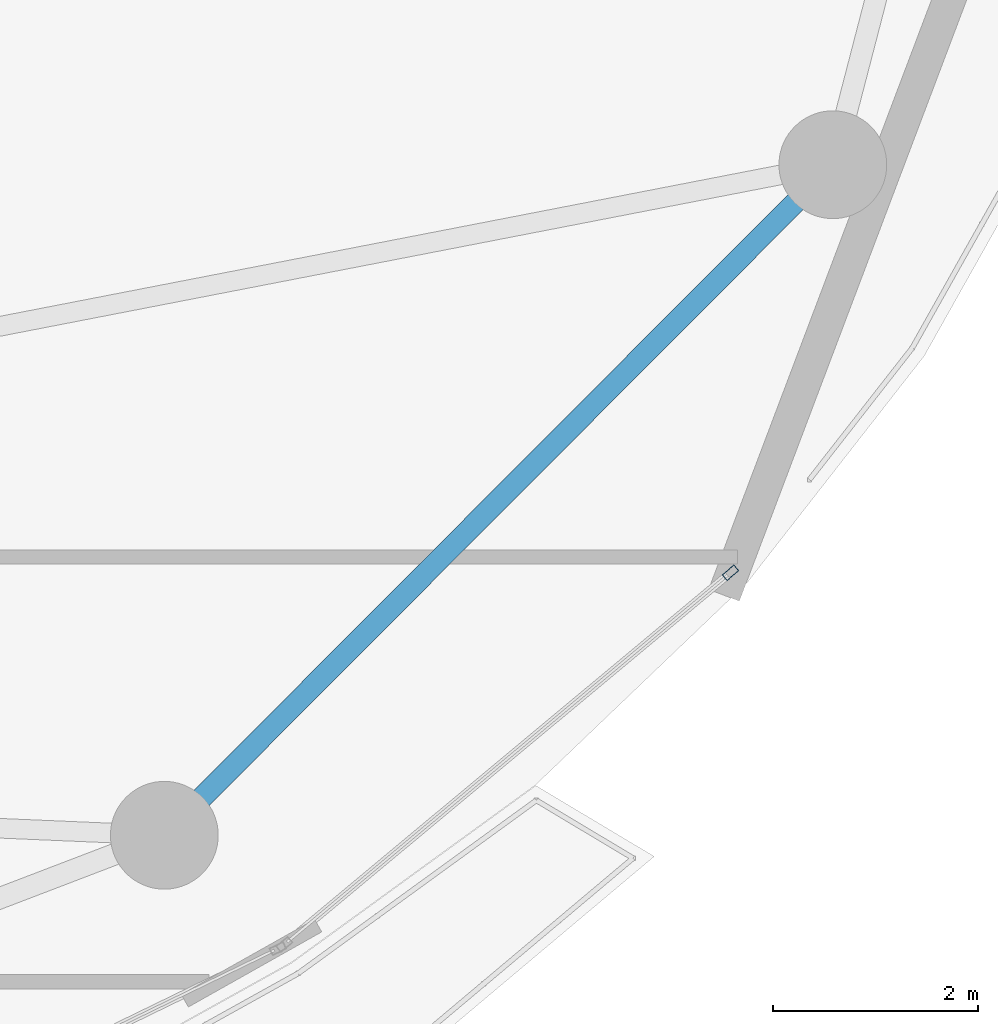
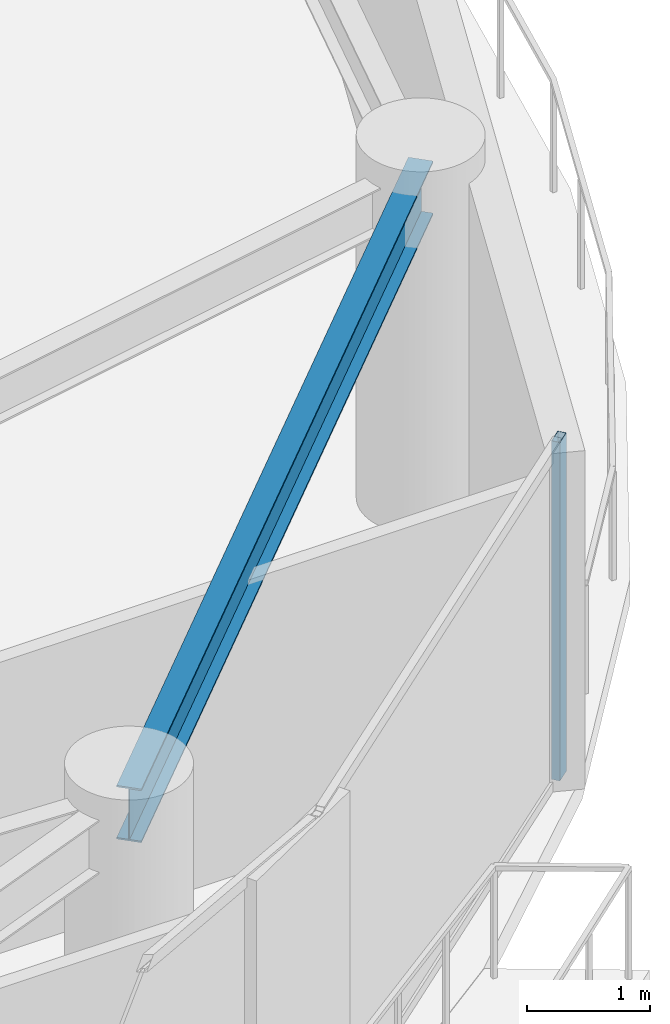
# One storey, part 13 of 28: 1 beam, 1 member, 1 element without a shape of its own.
"""IFC4 building model written with IfcOpenShell, lengths in metres."""

from ifc_helpers import new_model, si_unit, direction, frame, origin, origin_2d, place, context, subcontext, project, spatial, hollow_rectangle, i_section, extrude, material, layer, layer_set, material_profile, profile_set, type_object, element, aggregate, save


model = new_model("IFC4")

# Units and contexts
model_context = context("Model", 3, precision=1e-05, world=origin(), true_north=direction((0.0, 1.0)))
body_context = subcontext(model_context, "Body", "Model", "MODEL_VIEW")
ifc_project = project(units=[si_unit("LENGTHUNIT", "METRE"), si_unit("AREAUNIT", "SQUARE_METRE"), si_unit("VOLUMEUNIT", "CUBIC_METRE"), si_unit("PLANEANGLEUNIT", "RADIAN"), si_unit("MASSUNIT", "GRAM", prefix="KILO")], contexts=[model_context])

# Site, building, storey
site_placement = place(None, origin())
site = spatial("IfcSite", under=ifc_project, at=site_placement, CompositionType="ELEMENT")
building_placement = place(site_placement, origin())
building = spatial("IfcBuilding", under=site, at=building_placement, Name="Kazevale Care Tower and Concert Hall", CompositionType="ELEMENT")
storey_placement = place(building_placement, frame((0.0, 0.0, 246.0)))
storey = spatial("IfcBuildingStorey", under=building, at=storey_placement, Name="L65", CompositionType="ELEMENT", Elevation=246.0)

# Curtain wall, member
ifc_material_1 = material(Name="Aluminium 6063-T6 and Low-E Glass", Category="aluminium")
ifc_layer = layer(ifc_material_1, 0.179931640625)
ifc_layer_set = layer_set([ifc_layer], Name="Aluminium 6063-T6 and Low-E Glass")
curtain_wall_type = type_object("IfcCurtainWallType", Name="Sheltered Concave Balcony Curtain Wall CW-5", PredefinedType="NOTDEFINED", material=ifc_layer_set)
curtain_wall_placement = place(storey_placement, origin())
curtain_wall = element("IfcCurtainWall", 1, at=curtain_wall_placement, inside=storey, type_object=curtain_wall_type, Name="cw:L65:f02", PredefinedType="NOTDEFINED")
ifc_material_2 = material(Name="Aluminium 6063-T6", Category="aluminium")
ifc_material_profile_1 = material_profile(ifc_material_2, hollow_rectangle(XDim=0.074951171875, YDim=0.14990234375, WallThickness=0.00390625, at=origin_2d()), Name="ALU75x150x4")
ifc_profile_set_1 = profile_set([ifc_material_profile_1], Name="Aluminium 6063-T6")
member_type = type_object("IfcMemberType", Name="CW-5 Mullion ALU75x150x4", PredefinedType="MULLION", material=ifc_profile_set_1)
member_placement = place(storey_placement, frame((71.76318359375, 25.2060546875, 0.0), z_axis=(0.0, 0.0, 1.0), x_axis=(0.639961217204, -0.768407210062, 0.0)))
member = element("IfcMember", 2, at=member_placement, type_object=member_type, Name="CW-5 mullion 1", PredefinedType="MULLION", context=body_context, shape_type="SweptSolid", body=[
    extrude(hollow_rectangle(XDim=0.074951171875, YDim=0.14990234375, WallThickness=0.00390625, at=origin_2d()), origin(), (0.0, 0.0, 1.0), 3.360107421875),
])
aggregate(curtain_wall, [member])

# Beam
ifc_material_3 = material(Name="Steel ASTM A572 Gr 50", Category="steel")
ifc_material_profile_2 = material_profile(ifc_material_3, i_section(OverallWidth=0.208984375, OverallDepth=0.532958984375, WebThickness=0.01025390625, FlangeThickness=0.015625, at=origin_2d()), Name="W530x92")
ifc_profile_set_2 = profile_set([ifc_material_profile_2], Name="Steel ASTM A572 Gr 50")
beam_type = type_object("IfcBeamType", Name="Upper Ring Beam W530x92", PredefinedType="BEAM", material=ifc_profile_set_2)
beam_placement = place(storey_placement, frame((66.25, 22.64990234375, 3.093505859375), z_axis=(0.706020373708, 0.708191522054, 0.0), x_axis=(-0.708191522054, 0.706020373708, 0.0)))
element("IfcBeam", 3, at=beam_placement, inside=storey, type_object=beam_type, Name="beam:L65:ring:15", PredefinedType="BEAM", context=body_context, shape_type="SweptSolid", body=[
    extrude(i_section(OverallWidth=0.208984375, OverallDepth=0.532958984375, WebThickness=0.01025390625, FlangeThickness=0.015625, at=origin_2d()), origin(), (0.0, 0.0, 1.0), 9.220703125),
])

save(model, "model.ifc")
